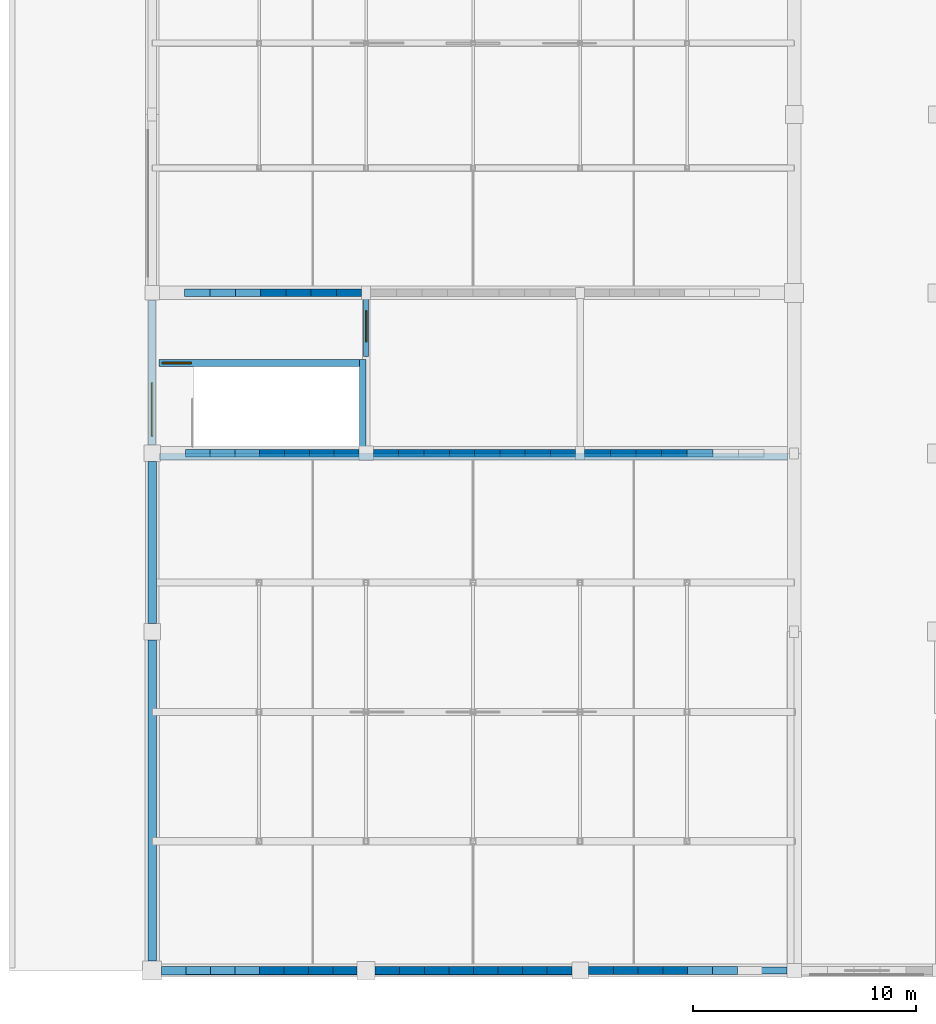
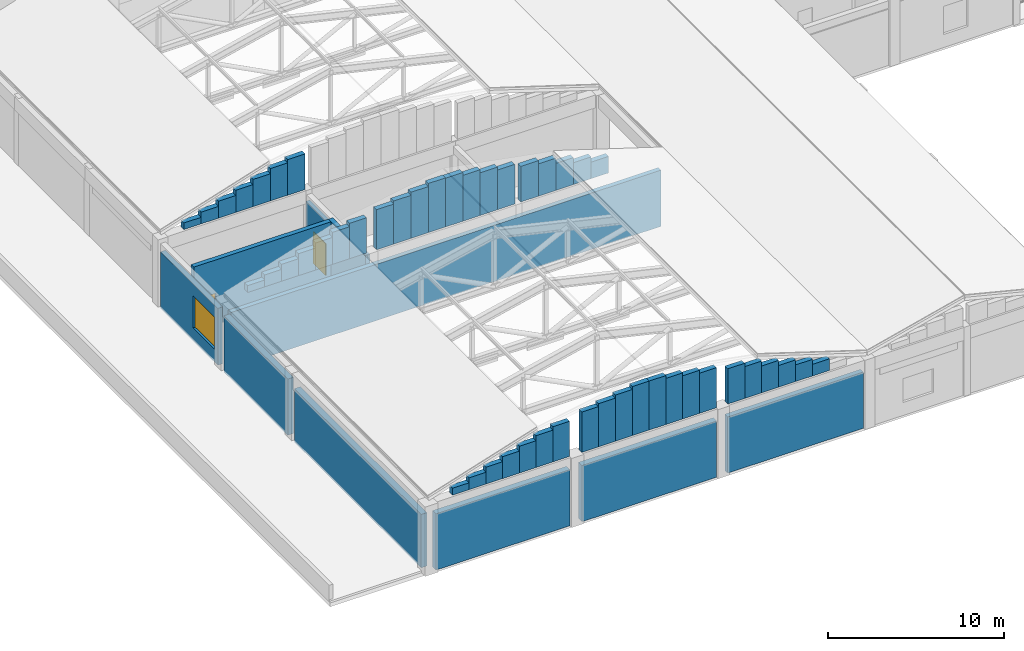
# One storey, part 43 of 61: 58 walls, 2 doors, 1 window, 3 openings.
"""IFC4 building model written with IfcOpenShell, lengths in metres."""

from ifc_helpers import new_model, si_unit, direction, frame, frame_2d, origin, place, context, subcontext, project, spatial, rectangle, extrude, material, layer, layer_set, type_object, element, fill, save


model = new_model("IFC4")

# Units and contexts
model_context = context("Model", 3, precision=1e-05, world=origin(), true_north=direction((0.0, 1.0)))
body_context = subcontext(model_context, "Body", "Model", "MODEL_VIEW")
ifc_project = project(units=[si_unit("LENGTHUNIT", "METRE"), si_unit("AREAUNIT", "SQUARE_METRE"), si_unit("VOLUMEUNIT", "CUBIC_METRE"), si_unit("PLANEANGLEUNIT", "RADIAN"), si_unit("MASSUNIT", "GRAM", prefix="KILO")], contexts=[model_context])

# Site, building, storey
site_placement = place(None, origin())
site = spatial("IfcSite", under=ifc_project, at=site_placement, CompositionType="ELEMENT")
building_placement = place(site_placement, origin())
building = spatial("IfcBuilding", under=site, at=building_placement, Name="Vellmiral Cinema and Media Centre", CompositionType="ELEMENT")
storey_placement = place(building_placement, frame((0.0, 0.0, 10.800048828125)))
storey = spatial("IfcBuildingStorey", under=building, at=storey_placement, Name="L02", CompositionType="ELEMENT", Elevation=10.800048828125)

# Walls
ifc_material_1 = material(Name="Concrete C40/50", Category="concrete")
ifc_layer_1 = layer(ifc_material_1, 0.300048828125, Name="Concrete C40/50")
ifc_layer_set_1 = layer_set([ifc_layer_1], Name="Concrete C40/50")
wall_type_1 = type_object("IfcWallType", Name="WL-CORE-300", PredefinedType="SHEAR", material=ifc_layer_set_1)
wall_1_placement = place(storey_placement, frame((6.699951171875, 35.85009765625, 0.0), z_axis=(0.0, 0.0, 1.0), x_axis=(1.0, 0.0, 0.0)))
element("IfcWall", 1, at=wall_1_placement, inside=storey, type_object=wall_type_1, Name="Cinema Screen 1 Acoustic Enclosure Wall L02-N1", PredefinedType="SHEAR", context=body_context, shape_type="SweptSolid", body=[
    extrude(rectangle(XDim=28.199951171875, YDim=0.300048828125, at=frame_2d((14.10009765625, 0.0))), origin(), (0.0, 0.0, 1.0), 3.89990234375),
])
wall_2_placement = place(storey_placement, frame((15.85009765625, 36.0, 0.0), z_axis=(0.0, 0.0, 1.0), x_axis=(0.0, 1.0, 0.0)))
element("IfcWall", 2, at=wall_2_placement, inside=storey, type_object=wall_type_1, Name="Stair Core Wall ST-P7 L02-E", PredefinedType="SHEAR", context=body_context, shape_type="SweptSolid", body=[
    extrude(rectangle(XDim=4.199951171875, YDim=0.300048828125, at=frame_2d((2.10009765625, 0.0))), origin(), (0.0, 0.0, 1.0), 4.5),
])

# Wall, opening, door
wall_3_placement = place(storey_placement, frame((6.699951171875, 40.050048828125, 0.0), z_axis=(0.0, 0.0, 1.0), x_axis=(1.0, 0.0, 0.0)))
wall_3 = element("IfcWall", 3, at=wall_3_placement, inside=storey, type_object=wall_type_1, Name="Stair Core Wall ST-P7 L02-N", PredefinedType="SHEAR", context=body_context, shape_type="SweptSolid", body=[
    extrude(rectangle(XDim=9.0, YDim=0.300048828125, at=frame_2d((4.5, 0.0))), origin(), (0.0, 0.0, 1.0), 4.5),
])
opening_1_placement = place(wall_3_placement, frame((0.159912109375, 0.0, 0.0)))
opening_1 = element("IfcOpeningElement", 4, at=opening_1_placement, cuts=wall_3, Name="Opening D-FD30A", PredefinedType="OPENING", context=body_context, shape_type="SweptSolid", body=[
    extrude(rectangle(XDim=1.300048828125, YDim=2.179931640625, at=frame_2d((0.64990234375, 1.08984375))), frame((0.0, 0.162109375, 0.0), z_axis=(0.0, -1.0, 0.0), x_axis=(1.0, 0.0, 0.0)), (0.0, 0.0, 1.0), 0.323974609375),
])
ifc_material_2 = material(Name="Steel Stair Fire Door", Category="steel")
door_type_1 = type_object("IfcDoorType", Name="DR-FD30-1300x2180", OperationType="NOTDEFINED", PredefinedType="DOOR", material=ifc_material_2)
door_1_placement = place(opening_1_placement, frame((1.300048828125, 0.0, 0.0), z_axis=(0.0, 0.0, 1.0), x_axis=(-1.0, 0.0, 0.0)))
door_1 = element("IfcDoor", 5, at=door_1_placement, inside=storey, type_object=door_type_1, Name="Protected Stair Door ST-P7 L02", OperationType="SINGLE_SWING_RIGHT", OverallHeight=2.179931640625, OverallWidth=1.300048828125, PredefinedType="DOOR", context=body_context, shape_type="SweptSolid", body=[
    extrude(rectangle(XDim=1.300048828125, YDim=2.179931640625, at=frame_2d((0.64990234375, 1.08984375))), frame((0.0, 0.02490234375, 0.0), z_axis=(0.0, -1.0, 0.0), x_axis=(1.0, 0.0, 0.0)), (0.0, 0.0, 1.0), 0.050048828125),
])
fill(opening_1, door_1)

# Wall
ifc_material_3 = material(Name="Polychrome Glazed Ceramic Cladding", Category="masonry")
ifc_layer_2 = layer(ifc_material_3, 0.320068359375, Name="Polychrome Glazed Ceramic Cladding")
ifc_layer_set_2 = layer_set([ifc_layer_2], Name="Polychrome Glazed Ceramic Cladding")
wall_type_2 = type_object("IfcWallType", Name="WL-EXT-BRICK-320", PredefinedType="SOLIDWALL", material=ifc_layer_set_2)
wall_4_placement = place(storey_placement, frame((25.97509765625, 12.800048828125, 0.0), z_axis=(0.0, 0.0, 1.0), x_axis=(1.0, 0.0, 0.0)))
element("IfcWall", 6, at=wall_4_placement, inside=storey, type_object=wall_type_2, Name="Exterior Facade Wall L02-003", PredefinedType="SOLIDWALL", context=body_context, shape_type="SweptSolid", body=[
    extrude(rectangle(XDim=8.89990234375, YDim=0.320068359375, at=frame_2d((4.449951171875, 0.0))), origin(), (0.0, 0.0, 1.0), 3.89990234375),
])

# Wall, opening, window
wall_5_placement = place(storey_placement, frame((6.39990234375, 42.875, 0.0), z_axis=(0.0, 0.0, 1.0), x_axis=(0.0, -1.0, 0.0)))
wall_5 = element("IfcWall", 7, at=wall_5_placement, inside=storey, type_object=wall_type_2, Name="Exterior Facade Wall L02-081", PredefinedType="SOLIDWALL", context=body_context, shape_type="SweptSolid", body=[
    extrude(rectangle(XDim=6.5, YDim=0.320068359375, at=frame_2d((3.25, 0.0))), origin(), (0.0, 0.0, 1.0), 3.93505859375),
])
opening_2_placement = place(wall_5_placement, frame((3.699951171875, 0.0, 0.89990234375)))
opening_2 = element("IfcOpeningElement", 8, at=opening_2_placement, cuts=wall_5, Name="Opening WN-01", PredefinedType="OPENING", context=body_context, shape_type="SweptSolid", body=[
    extrude(rectangle(XDim=2.39990234375, YDim=2.199951171875, at=frame_2d((1.199951171875, 1.10009765625))), frame((0.0, 0.171875, 0.0), z_axis=(0.0, -1.0, 0.0), x_axis=(1.0, 0.0, 0.0)), (0.0, 0.0, 1.0), 0.343994140625),
])
ifc_material_4 = material(Name="Thermally Broken Aluminium Triple Glazing", Category="aluminium")
window_type = type_object("IfcWindowType", Name="WN-2400x2200", PartitioningType="DOUBLE_PANEL_VERTICAL", PredefinedType="WINDOW", material=ifc_material_4)
window_placement = place(opening_2_placement, origin())
window = element("IfcWindow", 9, at=window_placement, inside=storey, type_object=window_type, Name="Window L02-081", OverallHeight=2.199951171875, OverallWidth=2.39990234375, PartitioningType="DOUBLE_PANEL_VERTICAL", PredefinedType="WINDOW", context=body_context, shape_type="SweptSolid", body=[
    extrude(rectangle(XDim=2.39990234375, YDim=2.199951171875, at=frame_2d((1.199951171875, 1.10009765625))), frame((0.0, 0.030029296875, 0.0), z_axis=(0.0, -1.0, 0.0), x_axis=(1.0, 0.0, 0.0)), (0.0, 0.0, 1.0), 0.06005859375),
])
fill(opening_2, window)

# Walls
ifc_material_5 = material(Name="Vosges Red Sandstone Masonry", Category="masonry")
ifc_layer_3 = layer(ifc_material_5, 0.340087890625, Name="Vosges Red Sandstone Masonry")
ifc_layer_set_3 = layer_set([ifc_layer_3], Name="Vosges Red Sandstone Masonry")
wall_type_3 = type_object("IfcWallType", Name="WL-EXT-SAND-340", PredefinedType="SOLIDWALL", material=ifc_layer_set_3)
wall_6_placement = place(storey_placement, frame((7.921875, 12.800048828125, 4.800048828125), z_axis=(0.0, 0.0, 1.0), x_axis=(1.0, 0.0, 0.0)))
element("IfcWall", 10, at=wall_6_placement, inside=storey, type_object=wall_type_3, Name="Cinema Screen 1 Gable End Wall S-1", PredefinedType="SOLIDWALL", context=body_context, shape_type="SweptSolid", body=[
    extrude(rectangle(XDim=1.096923828125, YDim=0.340087890625, at=frame_2d((0.54833984375, 0.0))), origin(), (0.0, 0.0, 1.0), 0.479736328125),
])
wall_7_placement = place(storey_placement, frame((9.018798828125, 12.800048828125, 4.800048828125), z_axis=(0.0, 0.0, 1.0), x_axis=(1.0, 0.0, 0.0)))
element("IfcWall", 11, at=wall_7_placement, inside=storey, type_object=wall_type_3, Name="Cinema Screen 1 Gable End Wall S-2", PredefinedType="SOLIDWALL", context=body_context, shape_type="SweptSolid", body=[
    extrude(rectangle(XDim=1.0966796875, YDim=0.340087890625, at=frame_2d((0.54833984375, 0.0))), origin(), (0.0, 0.0, 1.0), 0.82568359375),
])
wall_8_placement = place(storey_placement, frame((10.115478515625, 12.800048828125, 4.800048828125), z_axis=(0.0, 0.0, 1.0), x_axis=(1.0, 0.0, 0.0)))
element("IfcWall", 12, at=wall_8_placement, inside=storey, type_object=wall_type_3, Name="Cinema Screen 1 Gable End Wall S-3", PredefinedType="SOLIDWALL", context=body_context, shape_type="SweptSolid", body=[
    extrude(rectangle(XDim=1.096923828125, YDim=0.340087890625, at=frame_2d((0.54833984375, 0.0))), origin(), (0.0, 0.0, 1.0), 1.17138671875),
])
wall_9_placement = place(storey_placement, frame((11.21240234375, 12.800048828125, 4.800048828125), z_axis=(0.0, 0.0, 1.0), x_axis=(1.0, 0.0, 0.0)))
element("IfcWall", 13, at=wall_9_placement, inside=storey, type_object=wall_type_3, Name="Cinema Screen 1 Gable End Wall S-4", PredefinedType="SOLIDWALL", context=body_context, shape_type="SweptSolid", body=[
    extrude(rectangle(XDim=1.096923828125, YDim=0.340087890625, at=frame_2d((0.54833984375, 0.0))), origin(), (0.0, 0.0, 1.0), 1.517333984375),
])
wall_10_placement = place(storey_placement, frame((12.309326171875, 12.800048828125, 4.800048828125), z_axis=(0.0, 0.0, 1.0), x_axis=(1.0, 0.0, 0.0)))
element("IfcWall", 14, at=wall_10_placement, inside=storey, type_object=wall_type_3, Name="Cinema Screen 1 Gable End Wall S-5", PredefinedType="SOLIDWALL", context=body_context, shape_type="SweptSolid", body=[
    extrude(rectangle(XDim=1.096923828125, YDim=0.340087890625, at=frame_2d((0.54833984375, 0.0))), origin(), (0.0, 0.0, 1.0), 1.863037109375),
])
wall_11_placement = place(storey_placement, frame((13.40625, 12.800048828125, 4.800048828125), z_axis=(0.0, 0.0, 1.0), x_axis=(1.0, 0.0, 0.0)))
element("IfcWall", 15, at=wall_11_placement, inside=storey, type_object=wall_type_3, Name="Cinema Screen 1 Gable End Wall S-6", PredefinedType="SOLIDWALL", context=body_context, shape_type="SweptSolid", body=[
    extrude(rectangle(XDim=1.096923828125, YDim=0.340087890625, at=frame_2d((0.54833984375, 0.0))), origin(), (0.0, 0.0, 1.0), 2.208984375),
])
wall_12_placement = place(storey_placement, frame((14.503173828125, 12.800048828125, 4.800048828125), z_axis=(0.0, 0.0, 1.0), x_axis=(1.0, 0.0, 0.0)))
element("IfcWall", 16, at=wall_12_placement, inside=storey, type_object=wall_type_3, Name="Cinema Screen 1 Gable End Wall S-7", PredefinedType="SOLIDWALL", context=body_context, shape_type="SweptSolid", body=[
    extrude(rectangle(XDim=1.096923828125, YDim=0.340087890625, at=frame_2d((0.54833984375, 0.0))), origin(), (0.0, 0.0, 1.0), 2.4375),
])
wall_13_placement = place(storey_placement, frame((16.39990234375, 12.800048828125, 4.800048828125), z_axis=(0.0, 0.0, 1.0), x_axis=(1.0, 0.0, 0.0)))
element("IfcWall", 17, at=wall_13_placement, inside=storey, type_object=wall_type_3, Name="Cinema Screen 1 Gable End Wall S-8", PredefinedType="SOLIDWALL", context=body_context, shape_type="SweptSolid", body=[
    extrude(rectangle(XDim=1.103271484375, YDim=0.340087890625, at=frame_2d((0.5517578125, 0.0))), origin(), (0.0, 0.0, 1.0), 2.7890625),
])
wall_14_placement = place(storey_placement, frame((17.503173828125, 12.800048828125, 4.800048828125), z_axis=(0.0, 0.0, 1.0), x_axis=(1.0, 0.0, 0.0)))
element("IfcWall", 18, at=wall_14_placement, inside=storey, type_object=wall_type_3, Name="Cinema Screen 1 Gable End Wall S-9", PredefinedType="SOLIDWALL", context=body_context, shape_type="SweptSolid", body=[
    extrude(rectangle(XDim=1.10302734375, YDim=0.340087890625, at=frame_2d((0.551513671875, 0.0))), origin(), (0.0, 0.0, 1.0), 2.993408203125),
])
wall_15_placement = place(storey_placement, frame((18.606201171875, 12.800048828125, 4.800048828125), z_axis=(0.0, 0.0, 1.0), x_axis=(1.0, 0.0, 0.0)))
element("IfcWall", 19, at=wall_15_placement, inside=storey, type_object=wall_type_3, Name="Cinema Screen 1 Gable End Wall S-10", PredefinedType="SOLIDWALL", context=body_context, shape_type="SweptSolid", body=[
    extrude(rectangle(XDim=1.103271484375, YDim=0.340087890625, at=frame_2d((0.5517578125, 0.0))), origin(), (0.0, 0.0, 1.0), 3.197998046875),
])
wall_16_placement = place(storey_placement, frame((19.70947265625, 12.800048828125, 4.800048828125), z_axis=(0.0, 0.0, 1.0), x_axis=(1.0, 0.0, 0.0)))
element("IfcWall", 20, at=wall_16_placement, inside=storey, type_object=wall_type_3, Name="Cinema Screen 1 Gable End Wall S-11", PredefinedType="SOLIDWALL", context=body_context, shape_type="SweptSolid", body=[
    extrude(rectangle(XDim=1.10302734375, YDim=0.340087890625, at=frame_2d((0.551513671875, 0.0))), origin(), (0.0, 0.0, 1.0), 3.40234375),
])
wall_17_placement = place(storey_placement, frame((20.8125, 12.800048828125, 4.800048828125), z_axis=(0.0, 0.0, 1.0), x_axis=(1.0, 0.0, 0.0)))
element("IfcWall", 21, at=wall_17_placement, inside=storey, type_object=wall_type_3, Name="Cinema Screen 1 Gable End Wall S-12", PredefinedType="SOLIDWALL", context=body_context, shape_type="SweptSolid", body=[
    extrude(rectangle(XDim=1.10302734375, YDim=0.340087890625, at=frame_2d((0.551513671875, 0.0))), origin(), (0.0, 0.0, 1.0), 3.397705078125),
])
wall_18_placement = place(storey_placement, frame((21.91552734375, 12.800048828125, 4.800048828125), z_axis=(0.0, 0.0, 1.0), x_axis=(1.0, 0.0, 0.0)))
element("IfcWall", 22, at=wall_18_placement, inside=storey, type_object=wall_type_3, Name="Cinema Screen 1 Gable End Wall S-13", PredefinedType="SOLIDWALL", context=body_context, shape_type="SweptSolid", body=[
    extrude(rectangle(XDim=1.103271484375, YDim=0.340087890625, at=frame_2d((0.5517578125, 0.0))), origin(), (0.0, 0.0, 1.0), 3.193359375),
])
wall_19_placement = place(storey_placement, frame((23.018798828125, 12.800048828125, 4.800048828125), z_axis=(0.0, 0.0, 1.0), x_axis=(1.0, 0.0, 0.0)))
element("IfcWall", 23, at=wall_19_placement, inside=storey, type_object=wall_type_3, Name="Cinema Screen 1 Gable End Wall S-14", PredefinedType="SOLIDWALL", context=body_context, shape_type="SweptSolid", body=[
    extrude(rectangle(XDim=1.10302734375, YDim=0.340087890625, at=frame_2d((0.551513671875, 0.0))), origin(), (0.0, 0.0, 1.0), 2.98876953125),
])
wall_20_placement = place(storey_placement, frame((24.121826171875, 12.800048828125, 4.800048828125), z_axis=(0.0, 0.0, 1.0), x_axis=(1.0, 0.0, 0.0)))
element("IfcWall", 24, at=wall_20_placement, inside=storey, type_object=wall_type_3, Name="Cinema Screen 1 Gable End Wall S-15", PredefinedType="SOLIDWALL", context=body_context, shape_type="SweptSolid", body=[
    extrude(rectangle(XDim=1.103271484375, YDim=0.340087890625, at=frame_2d((0.5517578125, 0.0))), origin(), (0.0, 0.0, 1.0), 2.784423828125),
])
wall_21_placement = place(storey_placement, frame((25.97509765625, 12.800048828125, 4.800048828125), z_axis=(0.0, 0.0, 1.0), x_axis=(1.0, 0.0, 0.0)))
element("IfcWall", 25, at=wall_21_placement, inside=storey, type_object=wall_type_3, Name="Cinema Screen 1 Gable End Wall S-16", PredefinedType="SOLIDWALL", context=body_context, shape_type="SweptSolid", body=[
    extrude(rectangle(XDim=1.1123046875, YDim=0.340087890625, at=frame_2d((0.55615234375, 0.0))), origin(), (0.0, 0.0, 1.0), 2.439208984375),
])
wall_22_placement = place(storey_placement, frame((27.08740234375, 12.800048828125, 4.800048828125), z_axis=(0.0, 0.0, 1.0), x_axis=(1.0, 0.0, 0.0)))
element("IfcWall", 26, at=wall_22_placement, inside=storey, type_object=wall_type_3, Name="Cinema Screen 1 Gable End Wall S-17", PredefinedType="SOLIDWALL", context=body_context, shape_type="SweptSolid", body=[
    extrude(rectangle(XDim=1.112548828125, YDim=0.340087890625, at=frame_2d((0.55615234375, 0.0))), origin(), (0.0, 0.0, 1.0), 2.20703125),
])
wall_23_placement = place(storey_placement, frame((28.199951171875, 12.800048828125, 4.800048828125), z_axis=(0.0, 0.0, 1.0), x_axis=(1.0, 0.0, 0.0)))
element("IfcWall", 27, at=wall_23_placement, inside=storey, type_object=wall_type_3, Name="Cinema Screen 1 Gable End Wall S-18", PredefinedType="SOLIDWALL", context=body_context, shape_type="SweptSolid", body=[
    extrude(rectangle(XDim=1.112548828125, YDim=0.340087890625, at=frame_2d((0.55615234375, 0.0))), origin(), (0.0, 0.0, 1.0), 1.856201171875),
])
wall_24_placement = place(storey_placement, frame((29.3125, 12.800048828125, 4.800048828125), z_axis=(0.0, 0.0, 1.0), x_axis=(1.0, 0.0, 0.0)))
element("IfcWall", 28, at=wall_24_placement, inside=storey, type_object=wall_type_3, Name="Cinema Screen 1 Gable End Wall S-19", PredefinedType="SOLIDWALL", context=body_context, shape_type="SweptSolid", body=[
    extrude(rectangle(XDim=1.112548828125, YDim=0.340087890625, at=frame_2d((0.55615234375, 0.0))), origin(), (0.0, 0.0, 1.0), 1.505615234375),
])
wall_25_placement = place(storey_placement, frame((30.425048828125, 12.800048828125, 4.800048828125), z_axis=(0.0, 0.0, 1.0), x_axis=(1.0, 0.0, 0.0)))
element("IfcWall", 29, at=wall_25_placement, inside=storey, type_object=wall_type_3, Name="Cinema Screen 1 Gable End Wall S-20", PredefinedType="SOLIDWALL", context=body_context, shape_type="SweptSolid", body=[
    extrude(rectangle(XDim=1.112548828125, YDim=0.340087890625, at=frame_2d((0.55615234375, 0.0))), origin(), (0.0, 0.0, 1.0), 1.15478515625),
])
wall_26_placement = place(storey_placement, frame((31.53759765625, 12.800048828125, 4.800048828125), z_axis=(0.0, 0.0, 1.0), x_axis=(1.0, 0.0, 0.0)))
element("IfcWall", 30, at=wall_26_placement, inside=storey, type_object=wall_type_3, Name="Cinema Screen 1 Gable End Wall S-21", PredefinedType="SOLIDWALL", context=body_context, shape_type="SweptSolid", body=[
    extrude(rectangle(XDim=1.1123046875, YDim=0.340087890625, at=frame_2d((0.55615234375, 0.0))), origin(), (0.0, 0.0, 1.0), 0.803955078125),
])
wall_27_placement = place(storey_placement, frame((7.887451171875, 36.0, 4.800048828125), z_axis=(0.0, 0.0, 1.0), x_axis=(1.0, 0.0, 0.0)))
element("IfcWall", 31, at=wall_27_placement, inside=storey, type_object=wall_type_3, Name="Cinema Screen 1 Gable End Wall N-1", PredefinedType="SOLIDWALL", context=body_context, shape_type="SweptSolid", body=[
    extrude(rectangle(XDim=1.112548828125, YDim=0.340087890625, at=frame_2d((0.55615234375, 0.0))), origin(), (0.0, 0.0, 1.0), 0.468994140625),
])
wall_28_placement = place(storey_placement, frame((9.0, 36.0, 4.800048828125), z_axis=(0.0, 0.0, 1.0), x_axis=(1.0, 0.0, 0.0)))
element("IfcWall", 32, at=wall_28_placement, inside=storey, type_object=wall_type_3, Name="Cinema Screen 1 Gable End Wall N-2", PredefinedType="SOLIDWALL", context=body_context, shape_type="SweptSolid", body=[
    extrude(rectangle(XDim=1.112548828125, YDim=0.340087890625, at=frame_2d((0.55615234375, 0.0))), origin(), (0.0, 0.0, 1.0), 0.81982421875),
])
wall_29_placement = place(storey_placement, frame((10.112548828125, 36.0, 4.800048828125), z_axis=(0.0, 0.0, 1.0), x_axis=(1.0, 0.0, 0.0)))
element("IfcWall", 33, at=wall_29_placement, inside=storey, type_object=wall_type_3, Name="Cinema Screen 1 Gable End Wall N-3", PredefinedType="SOLIDWALL", context=body_context, shape_type="SweptSolid", body=[
    extrude(rectangle(XDim=1.112548828125, YDim=0.340087890625, at=frame_2d((0.55615234375, 0.0))), origin(), (0.0, 0.0, 1.0), 1.17041015625),
])
wall_30_placement = place(storey_placement, frame((11.22509765625, 36.0, 4.800048828125), z_axis=(0.0, 0.0, 1.0), x_axis=(1.0, 0.0, 0.0)))
element("IfcWall", 34, at=wall_30_placement, inside=storey, type_object=wall_type_3, Name="Cinema Screen 1 Gable End Wall N-4", PredefinedType="SOLIDWALL", context=body_context, shape_type="SweptSolid", body=[
    extrude(rectangle(XDim=1.1123046875, YDim=0.340087890625, at=frame_2d((0.55615234375, 0.0))), origin(), (0.0, 0.0, 1.0), 1.521240234375),
])
wall_31_placement = place(storey_placement, frame((12.33740234375, 36.0, 4.800048828125), z_axis=(0.0, 0.0, 1.0), x_axis=(1.0, 0.0, 0.0)))
element("IfcWall", 35, at=wall_31_placement, inside=storey, type_object=wall_type_3, Name="Cinema Screen 1 Gable End Wall N-5", PredefinedType="SOLIDWALL", context=body_context, shape_type="SweptSolid", body=[
    extrude(rectangle(XDim=1.112548828125, YDim=0.340087890625, at=frame_2d((0.55615234375, 0.0))), origin(), (0.0, 0.0, 1.0), 1.8720703125),
])
wall_32_placement = place(storey_placement, frame((13.449951171875, 36.0, 4.800048828125), z_axis=(0.0, 0.0, 1.0), x_axis=(1.0, 0.0, 0.0)))
element("IfcWall", 36, at=wall_32_placement, inside=storey, type_object=wall_type_3, Name="Cinema Screen 1 Gable End Wall N-6", PredefinedType="SOLIDWALL", context=body_context, shape_type="SweptSolid", body=[
    extrude(rectangle(XDim=1.112548828125, YDim=0.340087890625, at=frame_2d((0.55615234375, 0.0))), origin(), (0.0, 0.0, 1.0), 2.222900390625),
])
wall_33_placement = place(storey_placement, frame((14.5625, 36.0, 4.800048828125), z_axis=(0.0, 0.0, 1.0), x_axis=(1.0, 0.0, 0.0)))
element("IfcWall", 37, at=wall_33_placement, inside=storey, type_object=wall_type_3, Name="Cinema Screen 1 Gable End Wall N-7", PredefinedType="SOLIDWALL", context=body_context, shape_type="SweptSolid", body=[
    extrude(rectangle(XDim=1.112548828125, YDim=0.340087890625, at=frame_2d((0.55615234375, 0.0))), origin(), (0.0, 0.0, 1.0), 2.448486328125),
])
wall_34_placement = place(storey_placement, frame((16.324951171875, 36.0, 4.800048828125), z_axis=(0.0, 0.0, 1.0), x_axis=(1.0, 0.0, 0.0)))
element("IfcWall", 38, at=wall_34_placement, inside=storey, type_object=wall_type_3, Name="Cinema Screen 1 Gable End Wall N-8", PredefinedType="SOLIDWALL", context=body_context, shape_type="SweptSolid", body=[
    extrude(rectangle(XDim=1.134521484375, YDim=0.340087890625, at=frame_2d((0.5673828125, 0.0))), origin(), (0.0, 0.0, 1.0), 2.775146484375),
])
wall_35_placement = place(storey_placement, frame((17.45947265625, 36.0, 4.800048828125), z_axis=(0.0, 0.0, 1.0), x_axis=(1.0, 0.0, 0.0)))
element("IfcWall", 39, at=wall_35_placement, inside=storey, type_object=wall_type_3, Name="Cinema Screen 1 Gable End Wall N-9", PredefinedType="SOLIDWALL", context=body_context, shape_type="SweptSolid", body=[
    extrude(rectangle(XDim=1.13427734375, YDim=0.340087890625, at=frame_2d((0.567138671875, 0.0))), origin(), (0.0, 0.0, 1.0), 2.9853515625),
])
wall_36_placement = place(storey_placement, frame((18.59375, 36.0, 4.800048828125), z_axis=(0.0, 0.0, 1.0), x_axis=(1.0, 0.0, 0.0)))
element("IfcWall", 40, at=wall_36_placement, inside=storey, type_object=wall_type_3, Name="Cinema Screen 1 Gable End Wall N-10", PredefinedType="SOLIDWALL", context=body_context, shape_type="SweptSolid", body=[
    extrude(rectangle(XDim=1.13427734375, YDim=0.340087890625, at=frame_2d((0.567138671875, 0.0))), origin(), (0.0, 0.0, 1.0), 3.195556640625),
])
wall_37_placement = place(storey_placement, frame((19.72802734375, 36.0, 4.800048828125), z_axis=(0.0, 0.0, 1.0), x_axis=(1.0, 0.0, 0.0)))
element("IfcWall", 41, at=wall_37_placement, inside=storey, type_object=wall_type_3, Name="Cinema Screen 1 Gable End Wall N-11", PredefinedType="SOLIDWALL", context=body_context, shape_type="SweptSolid", body=[
    extrude(rectangle(XDim=1.134521484375, YDim=0.340087890625, at=frame_2d((0.5673828125, 0.0))), origin(), (0.0, 0.0, 1.0), 3.40576171875),
])
wall_38_placement = place(storey_placement, frame((20.862548828125, 36.0, 4.800048828125), z_axis=(0.0, 0.0, 1.0), x_axis=(1.0, 0.0, 0.0)))
element("IfcWall", 42, at=wall_38_placement, inside=storey, type_object=wall_type_3, Name="Cinema Screen 1 Gable End Wall N-12", PredefinedType="SOLIDWALL", context=body_context, shape_type="SweptSolid", body=[
    extrude(rectangle(XDim=1.13427734375, YDim=0.340087890625, at=frame_2d((0.567138671875, 0.0))), origin(), (0.0, 0.0, 1.0), 3.3828125),
])
wall_39_placement = place(storey_placement, frame((21.996826171875, 36.0, 4.800048828125), z_axis=(0.0, 0.0, 1.0), x_axis=(1.0, 0.0, 0.0)))
element("IfcWall", 43, at=wall_39_placement, inside=storey, type_object=wall_type_3, Name="Cinema Screen 1 Gable End Wall N-13", PredefinedType="SOLIDWALL", context=body_context, shape_type="SweptSolid", body=[
    extrude(rectangle(XDim=1.13427734375, YDim=0.340087890625, at=frame_2d((0.567138671875, 0.0))), origin(), (0.0, 0.0, 1.0), 3.17236328125),
])
wall_40_placement = place(storey_placement, frame((23.131103515625, 36.0, 4.800048828125), z_axis=(0.0, 0.0, 1.0), x_axis=(1.0, 0.0, 0.0)))
element("IfcWall", 44, at=wall_40_placement, inside=storey, type_object=wall_type_3, Name="Cinema Screen 1 Gable End Wall N-14", PredefinedType="SOLIDWALL", context=body_context, shape_type="SweptSolid", body=[
    extrude(rectangle(XDim=1.134521484375, YDim=0.340087890625, at=frame_2d((0.5673828125, 0.0))), origin(), (0.0, 0.0, 1.0), 2.962158203125),
])
wall_41_placement = place(storey_placement, frame((24.265625, 36.0, 4.800048828125), z_axis=(0.0, 0.0, 1.0), x_axis=(1.0, 0.0, 0.0)))
element("IfcWall", 45, at=wall_41_placement, inside=storey, type_object=wall_type_3, Name="Cinema Screen 1 Gable End Wall N-15", PredefinedType="SOLIDWALL", context=body_context, shape_type="SweptSolid", body=[
    extrude(rectangle(XDim=1.13427734375, YDim=0.340087890625, at=frame_2d((0.567138671875, 0.0))), origin(), (0.0, 0.0, 1.0), 2.751953125),
])
wall_42_placement = place(storey_placement, frame((25.800048828125, 36.0, 4.800048828125), z_axis=(0.0, 0.0, 1.0), x_axis=(1.0, 0.0, 0.0)))
element("IfcWall", 46, at=wall_42_placement, inside=storey, type_object=wall_type_3, Name="Cinema Screen 1 Gable End Wall N-16", PredefinedType="SOLIDWALL", context=body_context, shape_type="SweptSolid", body=[
    extrude(rectangle(XDim=1.14990234375, YDim=0.340087890625, at=frame_2d((0.574951171875, 0.0))), origin(), (0.0, 0.0, 1.0), 2.464599609375),
])
wall_43_placement = place(storey_placement, frame((26.949951171875, 36.0, 4.800048828125), z_axis=(0.0, 0.0, 1.0), x_axis=(1.0, 0.0, 0.0)))
element("IfcWall", 47, at=wall_43_placement, inside=storey, type_object=wall_type_3, Name="Cinema Screen 1 Gable End Wall N-17", PredefinedType="SOLIDWALL", context=body_context, shape_type="SweptSolid", body=[
    extrude(rectangle(XDim=1.150146484375, YDim=0.340087890625, at=frame_2d((0.5751953125, 0.0))), origin(), (0.0, 0.0, 1.0), 2.238525390625),
])
wall_44_placement = place(storey_placement, frame((28.10009765625, 36.0, 4.800048828125), z_axis=(0.0, 0.0, 1.0), x_axis=(1.0, 0.0, 0.0)))
element("IfcWall", 48, at=wall_44_placement, inside=storey, type_object=wall_type_3, Name="Cinema Screen 1 Gable End Wall N-18", PredefinedType="SOLIDWALL", context=body_context, shape_type="SweptSolid", body=[
    extrude(rectangle(XDim=1.14990234375, YDim=0.340087890625, at=frame_2d((0.574951171875, 0.0))), origin(), (0.0, 0.0, 1.0), 1.8759765625),
])
wall_45_placement = place(storey_placement, frame((29.25, 36.0, 4.800048828125), z_axis=(0.0, 0.0, 1.0), x_axis=(1.0, 0.0, 0.0)))
element("IfcWall", 49, at=wall_45_placement, inside=storey, type_object=wall_type_3, Name="Cinema Screen 1 Gable End Wall N-19", PredefinedType="SOLIDWALL", context=body_context, shape_type="SweptSolid", body=[
    extrude(rectangle(XDim=1.14990234375, YDim=0.340087890625, at=frame_2d((0.574951171875, 0.0))), origin(), (0.0, 0.0, 1.0), 1.51318359375),
])
wall_46_placement = place(storey_placement, frame((30.39990234375, 36.0, 4.800048828125), z_axis=(0.0, 0.0, 1.0), x_axis=(1.0, 0.0, 0.0)))
element("IfcWall", 50, at=wall_46_placement, inside=storey, type_object=wall_type_3, Name="Cinema Screen 1 Gable End Wall N-20", PredefinedType="SOLIDWALL", context=body_context, shape_type="SweptSolid", body=[
    extrude(rectangle(XDim=1.150146484375, YDim=0.340087890625, at=frame_2d((0.5751953125, 0.0))), origin(), (0.0, 0.0, 1.0), 1.150634765625),
])
wall_47_placement = place(storey_placement, frame((7.859375, 43.199951171875, 4.800048828125), z_axis=(0.0, 0.0, 1.0), x_axis=(1.0, 0.0, 0.0)))
element("IfcWall", 51, at=wall_47_placement, inside=storey, type_object=wall_type_3, Name="Cinema Screen 2 Gable End Wall S-1", PredefinedType="SOLIDWALL", context=body_context, shape_type="SweptSolid", body=[
    extrude(rectangle(XDim=1.134521484375, YDim=0.340087890625, at=frame_2d((0.5673828125, 0.0))), origin(), (0.0, 0.0, 1.0), 0.4599609375),
])
wall_48_placement = place(storey_placement, frame((8.993896484375, 43.199951171875, 4.800048828125), z_axis=(0.0, 0.0, 1.0), x_axis=(1.0, 0.0, 0.0)))
element("IfcWall", 52, at=wall_48_placement, inside=storey, type_object=wall_type_3, Name="Cinema Screen 2 Gable End Wall S-2", PredefinedType="SOLIDWALL", context=body_context, shape_type="SweptSolid", body=[
    extrude(rectangle(XDim=1.13427734375, YDim=0.340087890625, at=frame_2d((0.567138671875, 0.0))), origin(), (0.0, 0.0, 1.0), 0.817626953125),
])
wall_49_placement = place(storey_placement, frame((10.128173828125, 43.199951171875, 4.800048828125), z_axis=(0.0, 0.0, 1.0), x_axis=(1.0, 0.0, 0.0)))
element("IfcWall", 53, at=wall_49_placement, inside=storey, type_object=wall_type_3, Name="Cinema Screen 2 Gable End Wall S-3", PredefinedType="SOLIDWALL", context=body_context, shape_type="SweptSolid", body=[
    extrude(rectangle(XDim=1.13427734375, YDim=0.340087890625, at=frame_2d((0.567138671875, 0.0))), origin(), (0.0, 0.0, 1.0), 1.17529296875),
])
wall_50_placement = place(storey_placement, frame((11.262451171875, 43.199951171875, 4.800048828125), z_axis=(0.0, 0.0, 1.0), x_axis=(1.0, 0.0, 0.0)))
element("IfcWall", 54, at=wall_50_placement, inside=storey, type_object=wall_type_3, Name="Cinema Screen 2 Gable End Wall S-4", PredefinedType="SOLIDWALL", context=body_context, shape_type="SweptSolid", body=[
    extrude(rectangle(XDim=1.134521484375, YDim=0.340087890625, at=frame_2d((0.5673828125, 0.0))), origin(), (0.0, 0.0, 1.0), 1.532958984375),
])
wall_51_placement = place(storey_placement, frame((12.39697265625, 43.199951171875, 4.800048828125), z_axis=(0.0, 0.0, 1.0), x_axis=(1.0, 0.0, 0.0)))
element("IfcWall", 55, at=wall_51_placement, inside=storey, type_object=wall_type_3, Name="Cinema Screen 2 Gable End Wall S-5", PredefinedType="SOLIDWALL", context=body_context, shape_type="SweptSolid", body=[
    extrude(rectangle(XDim=1.13427734375, YDim=0.340087890625, at=frame_2d((0.567138671875, 0.0))), origin(), (0.0, 0.0, 1.0), 1.890625),
])
wall_52_placement = place(storey_placement, frame((13.53125, 43.199951171875, 4.800048828125), z_axis=(0.0, 0.0, 1.0), x_axis=(1.0, 0.0, 0.0)))
element("IfcWall", 56, at=wall_52_placement, inside=storey, type_object=wall_type_3, Name="Cinema Screen 2 Gable End Wall S-6", PredefinedType="SOLIDWALL", context=body_context, shape_type="SweptSolid", body=[
    extrude(rectangle(XDim=1.13427734375, YDim=0.340087890625, at=frame_2d((0.567138671875, 0.0))), origin(), (0.0, 0.0, 1.0), 2.248291015625),
])
wall_53_placement = place(storey_placement, frame((14.66552734375, 43.199951171875, 4.800048828125), z_axis=(0.0, 0.0, 1.0), x_axis=(1.0, 0.0, 0.0)))
element("IfcWall", 57, at=wall_53_placement, inside=storey, type_object=wall_type_3, Name="Cinema Screen 2 Gable End Wall S-7", PredefinedType="SOLIDWALL", context=body_context, shape_type="SweptSolid", body=[
    extrude(rectangle(XDim=1.134521484375, YDim=0.340087890625, at=frame_2d((0.5673828125, 0.0))), origin(), (0.0, 0.0, 1.0), 2.467529296875),
])
ifc_material_6 = material(Name="Vosges Red Sandstone Masonry", Category="masonry")
ifc_layer_4 = layer(ifc_material_6, 0.3798828125, Name="Vosges Red Sandstone Masonry")
ifc_layer_set_4 = layer_set([ifc_layer_4], Name="Vosges Red Sandstone Masonry")
wall_type_4 = type_object("IfcWallType", Name="WL-EXT-SAND-380", PredefinedType="SOLIDWALL", material=ifc_layer_set_4)
wall_54_placement = place(storey_placement, frame((6.824951171875, 12.800048828125, 0.0), z_axis=(0.0, 0.0, 1.0), x_axis=(1.0, 0.0, 0.0)))
element("IfcWall", 58, at=wall_54_placement, inside=storey, type_object=wall_type_4, Name="Exterior Facade Wall L02-001", PredefinedType="SOLIDWALL", context=body_context, shape_type="SweptSolid", body=[
    extrude(rectangle(XDim=8.775146484375, YDim=0.3798828125, at=frame_2d((4.3876953125, 0.0))), origin(), (0.0, 0.0, 1.0), 3.89990234375),
])
wall_55_placement = place(storey_placement, frame((16.39990234375, 12.800048828125, 0.0), z_axis=(0.0, 0.0, 1.0), x_axis=(1.0, 0.0, 0.0)))
element("IfcWall", 59, at=wall_55_placement, inside=storey, type_object=wall_type_4, Name="Exterior Facade Wall L02-002", PredefinedType="SOLIDWALL", context=body_context, shape_type="SweptSolid", body=[
    extrude(rectangle(XDim=8.8251953125, YDim=0.3798828125, at=frame_2d((4.41259765625, 0.0))), origin(), (0.0, 0.0, 1.0), 3.89990234375),
])
wall_56_placement = place(storey_placement, frame((6.39990234375, 35.625, 0.0), z_axis=(0.0, 0.0, 1.0), x_axis=(0.0, -1.0, 0.0)))
element("IfcWall", 60, at=wall_56_placement, inside=storey, type_object=wall_type_4, Name="Exterior Facade Wall L02-082", PredefinedType="SOLIDWALL", context=body_context, shape_type="SweptSolid", body=[
    extrude(rectangle(XDim=7.25, YDim=0.3798828125, at=frame_2d((3.625, 0.0))), origin(), (0.0, 0.0, 1.0), 3.89990234375),
])
wall_57_placement = place(storey_placement, frame((6.39990234375, 27.625, 0.0), z_axis=(0.0, 0.0, 1.0), x_axis=(0.0, -1.0, 0.0)))
element("IfcWall", 61, at=wall_57_placement, inside=storey, type_object=wall_type_4, Name="Exterior Facade Wall L02-083", PredefinedType="SOLIDWALL", context=body_context, shape_type="SweptSolid", body=[
    extrude(rectangle(XDim=14.39990234375, YDim=0.3798828125, at=frame_2d((7.199951171875, 0.0))), origin(), (0.0, 0.0, 1.0), 3.699951171875),
])

# Wall, opening, door
ifc_material_7 = material(Name="Concrete C40/50", Category="concrete")
ifc_layer_5 = layer(ifc_material_7, 0.22998046875, Name="Concrete C40/50")
ifc_layer_set_5 = layer_set([ifc_layer_5], Name="Concrete C40/50")
wall_type_5 = type_object("IfcWallType", Name="WL-FFL-230", PredefinedType="SOLIDWALL", material=ifc_layer_set_5)
wall_58_placement = place(storey_placement, frame((16.0, 40.340087890625, 0.0), z_axis=(0.0, 0.0, 1.0), x_axis=(0.0, 1.0, 0.0)))
wall_58 = element("IfcWall", 62, at=wall_58_placement, inside=storey, type_object=wall_type_5, Name="Firefighting Stair Lobby ST-P7 Wall E", PredefinedType="SOLIDWALL", context=body_context, shape_type="SweptSolid", body=[
    extrude(rectangle(XDim=2.719970703125, YDim=0.22998046875, at=frame_2d((1.35986328125, 0.0))), origin(), (0.0, 0.0, 1.0), 3.945068359375),
])
opening_3_placement = place(wall_58_placement, frame((0.659912109375, 0.0, 0.0)))
opening_3 = element("IfcOpeningElement", 63, at=opening_3_placement, cuts=wall_58, Name="Opening D-FD60B", PredefinedType="OPENING", context=body_context, shape_type="SweptSolid", body=[
    extrude(rectangle(XDim=1.39990234375, YDim=2.199951171875, at=frame_2d((0.699951171875, 1.10009765625))), frame((0.0, 0.126953125, 0.0), z_axis=(0.0, -1.0, 0.0), x_axis=(1.0, 0.0, 0.0)), (0.0, 0.0, 1.0), 0.25390625),
])
ifc_material_8 = material(Name="Steel Fire Door", Category="steel")
door_type_2 = type_object("IfcDoorType", Name="DR-FD60-1400x2200", OperationType="NOTDEFINED", PredefinedType="DOOR", material=ifc_material_8)
door_2_placement = place(opening_3_placement, origin())
door_2 = element("IfcDoor", 64, at=door_2_placement, inside=storey, type_object=door_type_2, Name="Firefighting Stair Lobby ST-P7 Door", OperationType="SINGLE_SWING_RIGHT", OverallHeight=2.199951171875, OverallWidth=1.39990234375, PredefinedType="DOOR", context=body_context, shape_type="SweptSolid", body=[
    extrude(rectangle(XDim=1.39990234375, YDim=2.199951171875, at=frame_2d((0.699951171875, 1.10009765625))), frame((0.0, 0.02490234375, 0.0), z_axis=(0.0, -1.0, 0.0), x_axis=(1.0, 0.0, 0.0)), (0.0, 0.0, 1.0), 0.050048828125),
])
fill(opening_3, door_2)

save(model, "model.ifc")
